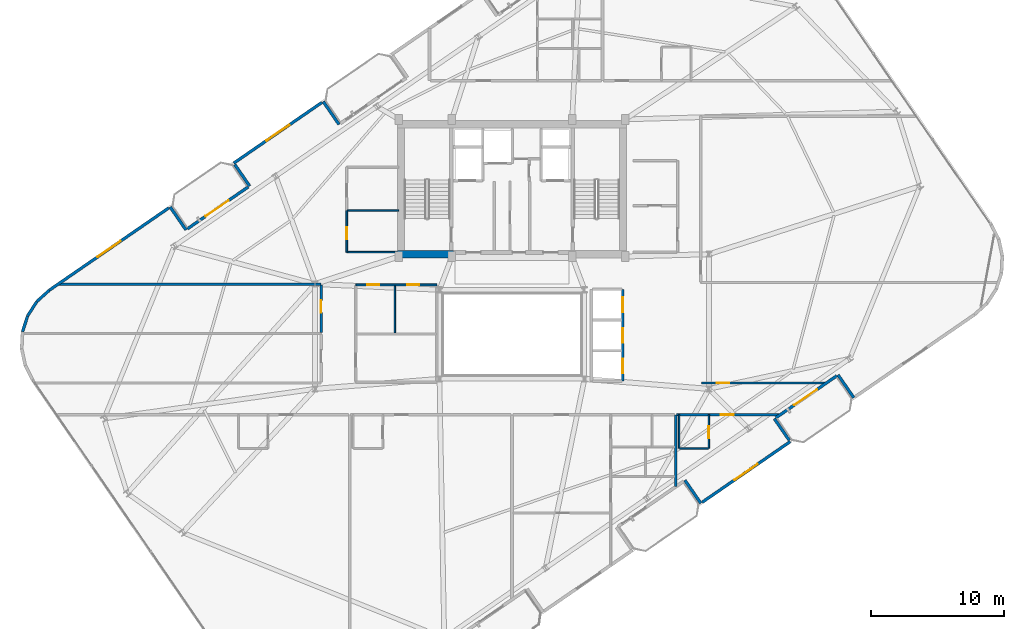
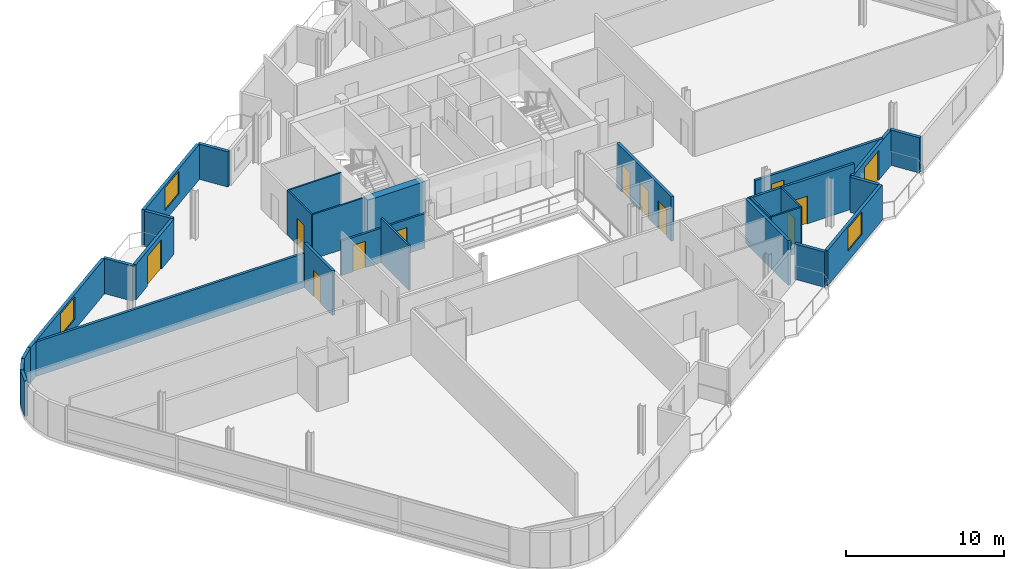
# One storey, part 17 of 23: 29 walls, 12 doors, 3 windows, 15 openings.
"""IFC4 building model written with IfcOpenShell, lengths in metres."""

from ifc_helpers import new_model, si_unit, direction, frame, frame_2d, origin, place, context, subcontext, project, spatial, rectangle, extrude, material, layer, layer_set, type_object, element, fill, save


model = new_model("IFC4")

# Units and contexts
model_context = context("Model", 3, precision=1e-05, world=origin(), true_north=direction((0.0, 1.0)))
body_context = subcontext(model_context, "Body", "Model", "MODEL_VIEW")
ifc_project = project(units=[si_unit("LENGTHUNIT", "METRE"), si_unit("AREAUNIT", "SQUARE_METRE"), si_unit("VOLUMEUNIT", "CUBIC_METRE"), si_unit("PLANEANGLEUNIT", "RADIAN"), si_unit("MASSUNIT", "GRAM", prefix="KILO")], contexts=[model_context])

# Site, building, storey
site_placement = place(None, origin())
site = spatial("IfcSite", under=ifc_project, at=site_placement, CompositionType="ELEMENT")
building_placement = place(site_placement, origin())
building = spatial("IfcBuilding", under=site, at=building_placement, Name="Varnelok Gate Tower", CompositionType="ELEMENT")
storey_placement = place(building_placement, frame((0.0, 0.0, 273.0)))
storey = spatial("IfcBuildingStorey", under=building, at=storey_placement, Name="L70", CompositionType="ELEMENT", Elevation=273.0)

# Wall, opening, door
ifc_material_1 = material(Name="Concrete C45/55", Category="concrete")
ifc_layer_1 = layer(ifc_material_1, 0.219970703125)
ifc_layer_set_1 = layer_set([ifc_layer_1], Name="Concrete C45/55")
wall_type_1 = type_object("IfcWallType", Name="EW-BALC-220", PredefinedType="SOLIDWALL", material=ifc_layer_set_1)
wall_1_placement = place(storey_placement, frame((63.60498046875, 19.780029296875, 0.0), z_axis=(0.0, 0.0, 1.0), x_axis=(-0.823541290762, -0.567256328665, 0.0)))
wall_1 = element("IfcWall", 1, at=wall_1_placement, inside=storey, type_object=wall_type_1, Name="L70 South Terrace Envelope Wall 3", PredefinedType="SOLIDWALL", context=body_context, shape_type="SweptSolid", body=[
    extrude(rectangle(XDim=5.567138671875, YDim=0.219970703125, at=frame_2d((2.78369140625, 0.0))), origin(), (0.0, 0.0, 1.0), 2.72998046875),
])
opening_1_placement = place(wall_1_placement, frame((1.786865234375, 0.0, 0.0)))
opening_1 = element("IfcOpeningElement", 2, at=opening_1_placement, cuts=wall_1, Name="Opening BD-2", PredefinedType="OPENING", context=body_context, shape_type="SweptSolid", body=[
    extrude(rectangle(XDim=2.10009765625, YDim=2.300048828125, at=frame_2d((1.050048828125, 1.14990234375))), frame((0.0, 0.119873046875, 0.0), z_axis=(0.0, -1.0, 0.0), x_axis=(1.0, 0.0, 0.0)), (0.0, 0.0, 1.0), 0.239990234375),
])
ifc_material_2 = material(Name="Anodized Aluminum Alloy 6063-T6", Category="aluminium")
door_type_1 = type_object("IfcDoorType", Name="DR-EXT-SLID2100", OperationType="SLIDING_TO_LEFT", PredefinedType="DOOR", material=ifc_material_2)
door_1_placement = place(opening_1_placement, origin())
door_1 = element("IfcDoor", 3, at=door_1_placement, inside=storey, type_object=door_type_1, Name="L70 South Balcony Glazed Door 3", OperationType="SLIDING_TO_LEFT", OverallHeight=2.300048828125, OverallWidth=2.10009765625, PredefinedType="DOOR", context=body_context, shape_type="SweptSolid", body=[
    extrude(rectangle(XDim=2.10009765625, YDim=2.300048828125, at=frame_2d((1.050048828125, 1.14990234375))), frame((0.0, 0.02490234375, 0.0), z_axis=(0.0, -1.0, 0.0), x_axis=(1.0, 0.0, 0.0)), (0.0, 0.0, 1.0), 0.050048828125),
])
fill(opening_1, door_1)

wall_2_placement = place(storey_placement, frame((14.794921875, 30.81982421875, 0.0), z_axis=(0.0, 0.0, 1.0), x_axis=(0.823541290762, 0.567256328665, 0.0)))
wall_2 = element("IfcWall", 4, at=wall_2_placement, inside=storey, type_object=wall_type_1, Name="L70 North Terrace Envelope Wall 4", PredefinedType="SOLIDWALL", context=body_context, shape_type="SweptSolid", body=[
    extrude(rectangle(XDim=5.567138671875, YDim=0.219970703125, at=frame_2d((2.78369140625, 0.0))), origin(), (0.0, 0.0, 1.0), 2.72998046875),
])
opening_2_placement = place(wall_2_placement, frame((1.68017578125, 0.0, 0.0)))
opening_2 = element("IfcOpeningElement", 5, at=opening_2_placement, cuts=wall_2, Name="Opening BD-2", PredefinedType="OPENING", context=body_context, shape_type="SweptSolid", body=[
    extrude(rectangle(XDim=2.10009765625, YDim=2.300048828125, at=frame_2d((1.050048828125, 1.14990234375))), frame((0.0, 0.119873046875, 0.0), z_axis=(0.0, -1.0, 0.0), x_axis=(1.0, 0.0, 0.0)), (0.0, 0.0, 1.0), 0.239990234375),
])
door_2_placement = place(opening_2_placement, origin())
door_2 = element("IfcDoor", 6, at=door_2_placement, inside=storey, type_object=door_type_1, Name="L70 North Balcony Glazed Door 4", OperationType="SLIDING_TO_LEFT", OverallHeight=2.300048828125, OverallWidth=2.10009765625, PredefinedType="DOOR", context=body_context, shape_type="SweptSolid", body=[
    extrude(rectangle(XDim=2.10009765625, YDim=2.300048828125, at=frame_2d((1.050048828125, 1.14990234375))), frame((0.0, 0.02490234375, 0.0), z_axis=(0.0, -1.0, 0.0), x_axis=(1.0, 0.0, 0.0)), (0.0, 0.0, 1.0), 0.050048828125),
])
fill(opening_2, door_2)

# Wall
wall_3_placement = place(storey_placement, frame((52.19580078125, 11.933349609375, 0.0), z_axis=(0.0, 0.0, 1.0), x_axis=(0.56729822855, -0.823512428494, 0.0)))
element("IfcWall", 7, at=wall_3_placement, inside=storey, type_object=wall_type_1, Name="L70 Perimeter Facade Closure Wall 12", PredefinedType="SOLIDWALL", context=body_context, shape_type="SweptSolid", body=[
    extrude(rectangle(XDim=2.10009765625, YDim=0.219970703125, at=frame_2d((1.050048828125, 0.0))), origin(), (0.0, 0.0, 1.0), 2.72998046875),
])

# Wall, opening, window
wall_4_placement = place(storey_placement, frame((53.489990234375, 10.27490234375, 0.0), z_axis=(0.0, 0.0, 1.0), x_axis=(0.823530942962, 0.56727135128, 0.0)))
wall_4 = element("IfcWall", 8, at=wall_4_placement, inside=storey, type_object=wall_type_1, Name="L70 Perimeter Facade Closure Wall 13", PredefinedType="SOLIDWALL", context=body_context, shape_type="SweptSolid", body=[
    extrude(rectangle(XDim=8.03515625, YDim=0.219970703125, at=frame_2d((4.017578125, 0.0))), origin(), (0.0, 0.0, 1.0), 2.72998046875),
])
opening_3_placement = place(wall_4_placement, frame((2.967529296875, 0.0, 0.800048828125)))
opening_3 = element("IfcOpeningElement", 9, at=opening_3_placement, cuts=wall_4, Name="Opening WN4", PredefinedType="OPENING", context=body_context, shape_type="SweptSolid", body=[
    extrude(rectangle(XDim=2.10009765625, YDim=1.75, at=frame_2d((1.050048828125, 0.875))), frame((0.0, 0.119873046875, 0.0), z_axis=(0.0, -1.0, 0.0), x_axis=(1.0, 0.0, 0.0)), (0.0, 0.0, 1.0), 0.239990234375),
])
ifc_material_3 = material(Name="Low-E Laminated Double Glazing IGU", Category="glass")
window_type = type_object("IfcWindowType", Name="WN-SUI-2100", PartitioningType="SINGLE_PANEL", PredefinedType="WINDOW", material=ifc_material_3)
window_1_placement = place(opening_3_placement, origin())
window_1 = element("IfcWindow", 10, at=window_1_placement, inside=storey, type_object=window_type, Name="L70 Perimeter Vision Window 13", OverallHeight=1.75, OverallWidth=2.10009765625, PartitioningType="SINGLE_PANEL", PredefinedType="WINDOW", context=body_context, shape_type="SweptSolid", body=[
    extrude(rectangle(XDim=2.10009765625, YDim=1.75, at=frame_2d((1.050048828125, 0.875))), frame((0.0, 0.030029296875, 0.0), z_axis=(0.0, -1.0, 0.0), x_axis=(1.0, 0.0, 0.0)), (0.0, 0.0, 1.0), 0.06005859375),
])
fill(opening_3, window_1)

# Walls
wall_5_placement = place(storey_placement, frame((60.0361328125, 14.935791015625, 0.0), z_axis=(0.0, 0.0, 1.0), x_axis=(-0.567273565974, 0.823529417415, 0.0)))
element("IfcWall", 11, at=wall_5_placement, inside=storey, type_object=wall_type_1, Name="L70 Perimeter Facade Closure Wall 14", PredefinedType="SOLIDWALL", context=body_context, shape_type="SweptSolid", body=[
    extrude(rectangle(XDim=1.97509765625, YDim=0.219970703125, at=frame_2d((0.987548828125, 0.0))), origin(), (0.0, 0.0, 1.0), 2.72998046875),
])
for number, where, z_axis, x_axis, name in (
    (12, (63.6982421875, 19.8564453125, 0.0), (0.0, 0.0, 1.0), (0.567219383419, -0.823566737474, 0.0), "L70 Perimeter Facade Closure Wall 15"),
    (13, (26.2041015625, 38.66650390625, 0.0), (0.0, 0.0, 1.0), (-0.567219383419, 0.823566737474, 0.0), "L70 Perimeter Facade Closure Wall 34"),
):
    element("IfcWall", number, at=place(storey_placement, frame(where, z_axis=z_axis, x_axis=x_axis)), inside=storey, type_object=wall_type_1, Name=name, PredefinedType="SOLIDWALL", context=body_context, shape_type="SweptSolid", body=[
        extrude(rectangle(XDim=2.10009765625, YDim=0.219970703125, at=frame_2d((1.050048828125, 0.0))), origin(), (0.0, 0.0, 1.0), 2.72998046875),
    ])

# Wall, opening, window
wall_6_placement = place(storey_placement, frame((24.909912109375, 40.3251953125, 0.0), z_axis=(0.0, 0.0, 1.0), x_axis=(-0.823521165086, -0.56728554596, 0.0)))
wall_6 = element("IfcWall", 14, at=wall_6_placement, inside=storey, type_object=wall_type_1, Name="L70 Perimeter Facade Closure Wall 35", PredefinedType="SOLIDWALL", context=body_context, shape_type="SweptSolid", body=[
    extrude(rectangle(XDim=8.034912109375, YDim=0.219970703125, at=frame_2d((4.017578125, 0.0))), origin(), (0.0, 0.0, 1.0), 2.72998046875),
])
opening_4_placement = place(wall_6_placement, frame((2.967529296875, 0.0, 0.800048828125)))
opening_4 = element("IfcOpeningElement", 15, at=opening_4_placement, cuts=wall_6, Name="Opening WN4", PredefinedType="OPENING", context=body_context, shape_type="SweptSolid", body=[
    extrude(rectangle(XDim=2.10009765625, YDim=1.75, at=frame_2d((1.050048828125, 0.875))), frame((0.0, 0.119873046875, 0.0), z_axis=(0.0, -1.0, 0.0), x_axis=(1.0, 0.0, 0.0)), (0.0, 0.0, 1.0), 0.239990234375),
])
window_2_placement = place(opening_4_placement, origin())
window_2 = element("IfcWindow", 16, at=window_2_placement, inside=storey, type_object=window_type, Name="L70 Perimeter Vision Window 35", OverallHeight=1.75, OverallWidth=2.10009765625, PartitioningType="SINGLE_PANEL", PredefinedType="WINDOW", context=body_context, shape_type="SweptSolid", body=[
    extrude(rectangle(XDim=2.10009765625, YDim=1.75, at=frame_2d((1.050048828125, 0.875))), frame((0.0, 0.030029296875, 0.0), z_axis=(0.0, -1.0, 0.0), x_axis=(1.0, 0.0, 0.0)), (0.0, 0.0, 1.0), 0.06005859375),
])
fill(opening_4, window_2)

# Walls
wall_7_placement = place(storey_placement, frame((18.36376953125, 35.664306640625, 0.0), z_axis=(0.0, 0.0, 1.0), x_axis=(0.567215821234, -0.823569190865, 0.0)))
element("IfcWall", 17, at=wall_7_placement, inside=storey, type_object=wall_type_1, Name="L70 Perimeter Facade Closure Wall 36", PredefinedType="SOLIDWALL", context=body_context, shape_type="SweptSolid", body=[
    extrude(rectangle(XDim=1.97509765625, YDim=0.219970703125, at=frame_2d((0.987548828125, 0.0))), origin(), (0.0, 0.0, 1.0), 2.72998046875),
])
wall_8_placement = place(storey_placement, frame((14.701904296875, 30.74365234375, 0.0), z_axis=(0.0, 0.0, 1.0), x_axis=(-0.567352541689, 0.823475010816, 0.0)))
element("IfcWall", 18, at=wall_8_placement, inside=storey, type_object=wall_type_1, Name="L70 Perimeter Facade Closure Wall 37", PredefinedType="SOLIDWALL", context=body_context, shape_type="SweptSolid", body=[
    extrude(rectangle(XDim=2.099853515625, YDim=0.219970703125, at=frame_2d((1.0498046875, 0.0))), origin(), (0.0, 0.0, 1.0), 2.72998046875),
])

# Wall, opening, window
wall_9_placement = place(storey_placement, frame((13.40771484375, 32.402099609375, 0.0), z_axis=(0.0, 0.0, 1.0), x_axis=(-0.823527634633, -0.567276154087, 0.0)))
wall_9 = element("IfcWall", 19, at=wall_9_placement, inside=storey, type_object=wall_type_1, Name="L70 Perimeter Facade Closure Wall 38", PredefinedType="SOLIDWALL", context=body_context, shape_type="SweptSolid", body=[
    extrude(rectangle(XDim=10.88037109375, YDim=0.219970703125, at=frame_2d((5.440185546875, 0.0))), origin(), (0.0, 0.0, 1.0), 2.72998046875),
])
opening_5_placement = place(wall_9_placement, frame((4.39013671875, 0.0, 0.800048828125)))
opening_5 = element("IfcOpeningElement", 20, at=opening_5_placement, cuts=wall_9, Name="Opening WN4", PredefinedType="OPENING", context=body_context, shape_type="SweptSolid", body=[
    extrude(rectangle(XDim=2.10009765625, YDim=1.75, at=frame_2d((1.050048828125, 0.875))), frame((0.0, 0.119873046875, 0.0), z_axis=(0.0, -1.0, 0.0), x_axis=(1.0, 0.0, 0.0)), (0.0, 0.0, 1.0), 0.239990234375),
])
window_3_placement = place(opening_5_placement, origin())
window_3 = element("IfcWindow", 21, at=window_3_placement, inside=storey, type_object=window_type, Name="L70 Perimeter Vision Window 38", OverallHeight=1.75, OverallWidth=2.10009765625, PartitioningType="SINGLE_PANEL", PredefinedType="WINDOW", context=body_context, shape_type="SweptSolid", body=[
    extrude(rectangle(XDim=2.10009765625, YDim=1.75, at=frame_2d((1.050048828125, 0.875))), frame((0.0, 0.030029296875, 0.0), z_axis=(0.0, -1.0, 0.0), x_axis=(1.0, 0.0, 0.0)), (0.0, 0.0, 1.0), 0.06005859375),
])
fill(opening_5, window_3)

# Walls
wall_10_placement = place(storey_placement, frame((4.428955078125, 26.21337890625, 0.0), z_axis=(0.0, 0.0, 1.0), x_axis=(-0.742414330744, -0.669941013453, 0.0)))
element("IfcWall", 22, at=wall_10_placement, inside=storey, type_object=wall_type_1, Name="L70 Perimeter Facade Closure Wall 39", PredefinedType="SOLIDWALL", context=body_context, shape_type="SweptSolid", body=[
    extrude(rectangle(XDim=1.256591796875, YDim=0.219970703125, at=frame_2d((0.62841796875, 0.0))), origin(), (0.0, 0.0, 1.0), 2.72998046875),
])
for number, where, z_axis, x_axis, name in (
    (23, (3.482421875, 25.3505859375, 0.0), (0.0, 0.0, 1.0), (-0.543778157277, -0.839229000731, 0.0), "L70 Perimeter Facade Closure Wall 40"),
    (24, (2.7958984375, 24.27880859375, 0.0), (0.0, 0.0, 1.0), (-0.30817950344, -0.951328226039, 0.0), "L70 Perimeter Facade Closure Wall 41"),
):
    element("IfcWall", number, at=place(storey_placement, frame(where, z_axis=z_axis, x_axis=x_axis)), inside=storey, type_object=wall_type_1, Name=name, PredefinedType="SOLIDWALL", context=body_context, shape_type="SweptSolid", body=[
        extrude(rectangle(XDim=1.24853515625, YDim=0.219970703125, at=frame_2d((0.624267578125, 0.0))), origin(), (0.0, 0.0, 1.0), 2.72998046875),
    ])

# Wall, opening, door
ifc_material_4 = material(Name="Gypsum Plasterboard Acoustic Partition", Category="gypsum")
ifc_layer_2 = layer(ifc_material_4, 0.179931640625)
ifc_layer_set_2 = layer_set([ifc_layer_2], Name="Gypsum Plasterboard Acoustic Partition")
wall_type_2 = type_object("IfcWallType", Name="PW-CORR-180", PredefinedType="PARTITIONING", material=ifc_layer_set_2)
wall_11_placement = place(storey_placement, frame((51.580078125, 16.85009765625, 0.0), z_axis=(0.0, 0.0, 1.0), x_axis=(1.0, 0.0, 0.0)))
wall_11 = element("IfcWall", 25, at=wall_11_placement, inside=storey, type_object=wall_type_2, Name="Interior Partition", PredefinedType="PARTITIONING", context=body_context, shape_type="SweptSolid", body=[
    extrude(rectangle(XDim=7.71826171875, YDim=0.179931640625, at=frame_2d((3.859130859375, 0.0))), origin(), (0.0, 0.0, 1.0), 3.449951171875),
])
opening_6_placement = place(wall_11_placement, frame((3.326171875, 0.0, 0.0)))
opening_6 = element("IfcOpeningElement", 26, at=opening_6_placement, cuts=wall_11, Name="Opening D-HT", PredefinedType="OPENING", context=body_context, shape_type="SweptSolid", body=[
    extrude(rectangle(XDim=0.949951171875, YDim=2.14990234375, at=frame_2d((0.47509765625, 1.074951171875))), frame((0.0, 0.099853515625, 0.0), z_axis=(0.0, -1.0, 0.0), x_axis=(1.0, 0.0, 0.0)), (0.0, 0.0, 1.0), 0.199951171875),
])
ifc_material_5 = material(Name="Engineered Hardwood Timber", Category="wood")
door_type_2 = type_object("IfcDoorType", Name="DR-HTL-950", OperationType="NOTDEFINED", PredefinedType="DOOR", material=ifc_material_5)
door_3_placement = place(opening_6_placement, origin())
door_3 = element("IfcDoor", 27, at=door_3_placement, inside=storey, type_object=door_type_2, Name="L70 Guest Room 04 Entrance Door", OperationType="SINGLE_SWING_LEFT", OverallHeight=2.14990234375, OverallWidth=0.949951171875, PredefinedType="DOOR", context=body_context, shape_type="SweptSolid", body=[
    extrude(rectangle(XDim=0.949951171875, YDim=2.14990234375, at=frame_2d((0.47509765625, 1.074951171875))), frame((0.0, 0.02490234375, 0.0), z_axis=(0.0, -1.0, 0.0), x_axis=(1.0, 0.0, 0.0)), (0.0, 0.0, 1.0), 0.050048828125),
])
fill(opening_6, door_3)

wall_12_placement = place(storey_placement, frame((24.85009765625, 23.030029296875, 0.0), z_axis=(0.0, 0.0, 1.0), x_axis=(0.0, 1.0, 0.0)))
wall_12 = element("IfcWall", 28, at=wall_12_placement, inside=storey, type_object=wall_type_2, Name="Interior Partition", PredefinedType="PARTITIONING", context=body_context, shape_type="SweptSolid", body=[
    extrude(rectangle(XDim=3.570068359375, YDim=0.179931640625, at=frame_2d((1.78515625, 0.0))), origin(), (0.0, 0.0, 1.0), 3.449951171875),
])
opening_7_placement = place(wall_12_placement, frame((1.49951171875, 0.0, 0.0)))
opening_7 = element("IfcOpeningElement", 29, at=opening_7_placement, cuts=wall_12, Name="Opening D-I3", PredefinedType="OPENING", context=body_context, shape_type="SweptSolid", body=[
    extrude(rectangle(XDim=0.919921875, YDim=2.050048828125, at=frame_2d((0.4599609375, 1.02490234375))), frame((0.0, 0.099853515625, 0.0), z_axis=(0.0, -1.0, 0.0), x_axis=(1.0, 0.0, 0.0)), (0.0, 0.0, 1.0), 0.199951171875),
])
door_type_3 = type_object("IfcDoorType", Name="DR-INT-920", OperationType="NOTDEFINED", PredefinedType="DOOR", material=ifc_material_5)
door_4_placement = place(opening_7_placement, origin())
door_4 = element("IfcDoor", 30, at=door_4_placement, inside=storey, type_object=door_type_3, Name="L70 West Wing Room 2 Door", OperationType="SINGLE_SWING_RIGHT", OverallHeight=2.050048828125, OverallWidth=0.919921875, PredefinedType="DOOR", context=body_context, shape_type="SweptSolid", body=[
    extrude(rectangle(XDim=0.919921875, YDim=2.050048828125, at=frame_2d((0.4599609375, 1.02490234375))), frame((0.0, 0.02490234375, 0.0), z_axis=(0.0, -1.0, 0.0), x_axis=(1.0, 0.0, 0.0)), (0.0, 0.0, 1.0), 0.050048828125),
])
fill(opening_7, door_4)

# Wall
wall_13_placement = place(storey_placement, frame((5.10693359375, 26.659912109375, 0.0), z_axis=(0.0, 0.0, 1.0), x_axis=(1.0, 0.0, 0.0)))
element("IfcWall", 31, at=wall_13_placement, inside=storey, type_object=wall_type_2, Name="Interior Partition", PredefinedType="PARTITIONING", context=body_context, shape_type="SweptSolid", body=[
    extrude(rectangle(XDim=19.7431640625, YDim=0.179931640625, at=frame_2d((9.87158203125, 0.0))), origin(), (0.0, 0.0, 1.0), 2.662109375),
])

# Wall, opening, door
wall_14_placement = place(storey_placement, frame((53.449951171875, 19.239990234375, 0.0), z_axis=(0.0, 0.0, 1.0), x_axis=(1.0, 0.0, 0.0)))
wall_14 = element("IfcWall", 32, at=wall_14_placement, inside=storey, type_object=wall_type_2, Name="Interior Partition", PredefinedType="PARTITIONING", context=body_context, shape_type="SweptSolid", body=[
    extrude(rectangle(XDim=9.318115234375, YDim=0.179931640625, at=frame_2d((4.6591796875, 0.0))), origin(), (0.0, 0.0, 1.0), 2.739013671875),
])
opening_8_placement = place(wall_14_placement, frame((1.14990234375, 0.0, 0.0)))
opening_8 = element("IfcOpeningElement", 33, at=opening_8_placement, cuts=wall_14, Name="Opening D-I3", PredefinedType="OPENING", context=body_context, shape_type="SweptSolid", body=[
    extrude(rectangle(XDim=0.919921875, YDim=2.050048828125, at=frame_2d((0.4599609375, 1.02490234375))), frame((0.0, 0.099853515625, 0.0), z_axis=(0.0, -1.0, 0.0), x_axis=(1.0, 0.0, 0.0)), (0.0, 0.0, 1.0), 0.199951171875),
])
door_5_placement = place(opening_8_placement, origin())
door_5 = element("IfcDoor", 34, at=door_5_placement, inside=storey, type_object=door_type_3, Name="L70 East Studio Door", OperationType="SINGLE_SWING_LEFT", OverallHeight=2.050048828125, OverallWidth=0.919921875, PredefinedType="DOOR", context=body_context, shape_type="SweptSolid", body=[
    extrude(rectangle(XDim=0.919921875, YDim=2.050048828125, at=frame_2d((0.4599609375, 1.02490234375))), frame((0.0, 0.02490234375, 0.0), z_axis=(0.0, -1.0, 0.0), x_axis=(1.0, 0.0, 0.0)), (0.0, 0.0, 1.0), 0.050048828125),
])
fill(opening_8, door_5)

# Wall
ifc_layer_3 = layer(ifc_material_4, 0.114990234375)
ifc_layer_set_3 = layer_set([ifc_layer_3], Name="Gypsum Plasterboard Acoustic Partition")
wall_type_3 = type_object("IfcWallType", Name="PW-ENS-125", PredefinedType="PARTITIONING", material=ifc_layer_set_3)
wall_15_placement = place(storey_placement, frame((51.800048828125, 14.330078125, 0.0), z_axis=(0.0, 0.0, 1.0), x_axis=(1.0, 0.0, 0.0)))
element("IfcWall", 35, at=wall_15_placement, inside=storey, type_object=wall_type_3, Name="Interior Partition", PredefinedType="PARTITIONING", context=body_context, shape_type="SweptSolid", body=[
    extrude(rectangle(XDim=2.14990234375, YDim=0.114990234375, at=frame_2d((1.074951171875, 0.0))), origin(), (0.0, 0.0, 1.0), 3.449951171875),
])

# Wall, opening, door
wall_16_placement = place(storey_placement, frame((53.989990234375, 14.330078125, 0.0), z_axis=(0.0, 0.0, 1.0), x_axis=(0.0, 1.0, 0.0)))
wall_16 = element("IfcWall", 36, at=wall_16_placement, inside=storey, type_object=wall_type_3, Name="Interior Partition", PredefinedType="PARTITIONING", context=body_context, shape_type="SweptSolid", body=[
    extrude(rectangle(XDim=2.52001953125, YDim=0.114990234375, at=frame_2d((1.260009765625, 0.0))), origin(), (0.0, 0.0, 1.0), 3.449951171875),
])
opening_9_placement = place(wall_16_placement, frame((0.760009765625, 0.0, 0.0)))
opening_9 = element("IfcOpeningElement", 37, at=opening_9_placement, cuts=wall_16, Name="Opening D-WC", PredefinedType="OPENING", context=body_context, shape_type="SweptSolid", body=[
    extrude(rectangle(XDim=0.89990234375, YDim=2.050048828125, at=frame_2d((0.449951171875, 1.02490234375))), frame((0.0, 0.0673828125, 0.0), z_axis=(0.0, -1.0, 0.0), x_axis=(1.0, 0.0, 0.0)), (0.0, 0.0, 1.0), 0.135009765625),
])
door_type_4 = type_object("IfcDoorType", Name="DR-BATH-900", OperationType="NOTDEFINED", PredefinedType="DOOR", material=ifc_material_5)
door_6_placement = place(opening_9_placement, origin())
door_6 = element("IfcDoor", 38, at=door_6_placement, inside=storey, type_object=door_type_4, Name="L70 Guest En-Suite 04 Door", OperationType="SINGLE_SWING_LEFT", OverallHeight=2.050048828125, OverallWidth=0.89990234375, PredefinedType="DOOR", context=body_context, shape_type="SweptSolid", body=[
    extrude(rectangle(XDim=0.89990234375, YDim=2.050048828125, at=frame_2d((0.449951171875, 1.02490234375))), frame((0.0, 0.02490234375, 0.0), z_axis=(0.0, -1.0, 0.0), x_axis=(1.0, 0.0, 0.0)), (0.0, 0.0, 1.0), 0.050048828125),
])
fill(opening_9, door_6)

# Walls
wall_17_placement = place(storey_placement, frame((51.760009765625, 14.330078125, 0.0), z_axis=(0.0, 0.0, 1.0), x_axis=(0.0, 1.0, 0.0)))
element("IfcWall", 39, at=wall_17_placement, inside=storey, type_object=wall_type_3, Name="Interior Partition", PredefinedType="PARTITIONING", context=body_context, shape_type="SweptSolid", body=[
    extrude(rectangle(XDim=2.52001953125, YDim=0.114990234375, at=frame_2d((1.260009765625, 0.0))), origin(), (0.0, 0.0, 1.0), 3.449951171875),
])
wall_18_placement = place(storey_placement, frame((26.800048828125, 32.18994140625, 0.0), z_axis=(0.0, 0.0, 1.0), x_axis=(1.0, 0.0, 0.0)))
element("IfcWall", 40, at=wall_18_placement, inside=storey, type_object=wall_type_3, Name="Interior Partition", PredefinedType="PARTITIONING", context=body_context, shape_type="SweptSolid", body=[
    extrude(rectangle(XDim=3.8798828125, YDim=0.114990234375, at=frame_2d((1.93994140625, 0.0))), origin(), (0.0, 0.0, 1.0), 3.449951171875),
])
wall_19_placement = place(storey_placement, frame((26.780029296875, 29.080078125, 0.0), z_axis=(0.0, 0.0, 1.0), x_axis=(1.0, 0.0, 0.0)))
element("IfcWall", 41, at=wall_19_placement, inside=storey, type_object=wall_type_3, Name="Interior Partition", PredefinedType="PARTITIONING", context=body_context, shape_type="SweptSolid", body=[
    extrude(rectangle(XDim=3.800048828125, YDim=0.114990234375, at=frame_2d((1.89990234375, 0.0))), origin(), (0.0, 0.0, 1.0), 3.449951171875),
])

# Wall, opening, door
wall_20_placement = place(storey_placement, frame((26.780029296875, 29.080078125, 0.0), z_axis=(0.0, 0.0, 1.0), x_axis=(0.0, 1.0, 0.0)))
wall_20 = element("IfcWall", 42, at=wall_20_placement, inside=storey, type_object=wall_type_3, Name="Interior Partition", PredefinedType="PARTITIONING", context=body_context, shape_type="SweptSolid", body=[
    extrude(rectangle(XDim=3.10986328125, YDim=0.114990234375, at=frame_2d((1.554931640625, 0.0))), origin(), (0.0, 0.0, 1.0), 3.449951171875),
])
opening_10_placement = place(wall_20_placement, frame((0.949951171875, 0.0, 0.0)))
opening_10 = element("IfcOpeningElement", 43, at=opening_10_placement, cuts=wall_20, Name="Opening D-WC", PredefinedType="OPENING", context=body_context, shape_type="SweptSolid", body=[
    extrude(rectangle(XDim=0.89990234375, YDim=2.050048828125, at=frame_2d((0.449951171875, 1.02490234375))), frame((0.0, 0.0673828125, 0.0), z_axis=(0.0, -1.0, 0.0), x_axis=(1.0, 0.0, 0.0)), (0.0, 0.0, 1.0), 0.135009765625),
])
door_7_placement = place(opening_10_placement, origin())
door_7 = element("IfcDoor", 44, at=door_7_placement, inside=storey, type_object=door_type_4, Name="L70 Core Floor WC Door", OperationType="SINGLE_SWING_LEFT", OverallHeight=2.050048828125, OverallWidth=0.89990234375, PredefinedType="DOOR", context=body_context, shape_type="SweptSolid", body=[
    extrude(rectangle(XDim=0.89990234375, YDim=2.050048828125, at=frame_2d((0.449951171875, 1.02490234375))), frame((0.0, 0.02490234375, 0.0), z_axis=(0.0, -1.0, 0.0), x_axis=(1.0, 0.0, 0.0)), (0.0, 0.0, 1.0), 0.050048828125),
])
fill(opening_10, door_7)

# Wall
ifc_layer_4 = layer(ifc_material_4, 0.125)
ifc_layer_set_4 = layer_set([ifc_layer_4], Name="Gypsum Plasterboard Acoustic Partition")
wall_type_4 = type_object("IfcWallType", Name="PW-PART-125", PredefinedType="PARTITIONING", material=ifc_layer_set_4)
wall_21_placement = place(storey_placement, frame((30.39990234375, 23.0, 0.0), z_axis=(0.0, 0.0, 1.0), x_axis=(0.0, 1.0, 0.0)))
element("IfcWall", 45, at=wall_21_placement, inside=storey, type_object=wall_type_4, Name="Interior Partition", PredefinedType="PARTITIONING", context=body_context, shape_type="SweptSolid", body=[
    extrude(rectangle(XDim=3.5400390625, YDim=0.125, at=frame_2d((1.77001953125, 0.0))), origin(), (0.0, 0.0, 1.0), 3.449951171875),
])

# Wall, openings, doors
ifc_layer_5 = layer(ifc_material_4, 0.14990234375)
ifc_layer_set_5 = layer_set([ifc_layer_5], Name="Gypsum Plasterboard Acoustic Partition")
wall_type_5 = type_object("IfcWallType", Name="PW-PART-150", PredefinedType="PARTITIONING", material=ifc_layer_set_5)
wall_22_placement = place(storey_placement, frame((27.4599609375, 26.6201171875, 0.0), z_axis=(0.0, 0.0, 1.0), x_axis=(1.0, 0.0, 0.0)))
wall_22 = element("IfcWall", 46, at=wall_22_placement, inside=storey, type_object=wall_type_5, Name="Interior Partition", PredefinedType="PARTITIONING", context=body_context, shape_type="SweptSolid", body=[
    extrude(rectangle(XDim=6.10009765625, YDim=0.14990234375, at=frame_2d((3.050048828125, 0.0))), origin(), (0.0, 0.0, 1.0), 2.662109375),
])
opening_11_placement = place(wall_22_placement, frame((0.85009765625, 0.0, 0.0)))
opening_11 = element("IfcOpeningElement", 47, at=opening_11_placement, cuts=wall_22, Name="Opening D-WC", PredefinedType="OPENING", context=body_context, shape_type="SweptSolid", body=[
    extrude(rectangle(XDim=0.89990234375, YDim=2.050048828125, at=frame_2d((0.449951171875, 1.02490234375))), frame((0.0, 0.0849609375, 0.0), z_axis=(0.0, -1.0, 0.0), x_axis=(1.0, 0.0, 0.0)), (0.0, 0.0, 1.0), 0.169921875),
])
opening_12_placement = place(wall_22_placement, frame((3.85009765625, 0.0, 0.0)))
opening_12 = element("IfcOpeningElement", 48, at=opening_12_placement, cuts=wall_22, Name="Opening D-I3", PredefinedType="OPENING", context=body_context, shape_type="SweptSolid", body=[
    extrude(rectangle(XDim=0.919921875, YDim=2.050048828125, at=frame_2d((0.4599609375, 1.02490234375))), frame((0.0, 0.0849609375, 0.0), z_axis=(0.0, -1.0, 0.0), x_axis=(1.0, 0.0, 0.0)), (0.0, 0.0, 1.0), 0.169921875),
])
door_8_placement = place(opening_11_placement, origin())
door_8 = element("IfcDoor", 49, at=door_8_placement, inside=storey, type_object=door_type_4, Name="L70 Accessible Floor WC Door", OperationType="SINGLE_SWING_RIGHT", OverallHeight=2.050048828125, OverallWidth=0.89990234375, PredefinedType="DOOR", context=body_context, shape_type="SweptSolid", body=[
    extrude(rectangle(XDim=0.89990234375, YDim=2.050048828125, at=frame_2d((0.449951171875, 1.02490234375))), frame((0.0, 0.02490234375, 0.0), z_axis=(0.0, -1.0, 0.0), x_axis=(1.0, 0.0, 0.0)), (0.0, 0.0, 1.0), 0.050048828125),
])
fill(opening_11, door_8)
door_9_placement = place(opening_12_placement, origin())
door_9 = element("IfcDoor", 50, at=door_9_placement, inside=storey, type_object=door_type_3, Name="L70 Cleaner Supply Door", OperationType="SINGLE_SWING_LEFT", OverallHeight=2.050048828125, OverallWidth=0.919921875, PredefinedType="DOOR", context=body_context, shape_type="SweptSolid", body=[
    extrude(rectangle(XDim=0.919921875, YDim=2.050048828125, at=frame_2d((0.4599609375, 1.02490234375))), frame((0.0, 0.02490234375, 0.0), z_axis=(0.0, -1.0, 0.0), x_axis=(1.0, 0.0, 0.0)), (0.0, 0.0, 1.0), 0.050048828125),
])
fill(opening_12, door_9)

# Wall
ifc_layer_6 = layer(ifc_material_4, 0.205078125)
ifc_layer_set_6 = layer_set([ifc_layer_6], Name="Gypsum Plasterboard Acoustic Partition")
wall_type_6 = type_object("IfcWallType", Name="PW-PARTY-200", PredefinedType="PARTITIONING", material=ifc_layer_set_6)
wall_23_placement = place(storey_placement, frame((51.5, 11.478515625, 0.0), z_axis=(0.0, 0.0, 1.0), x_axis=(0.0, 1.0, 0.0)))
element("IfcWall", 51, at=wall_23_placement, inside=storey, type_object=wall_type_6, Name="L70 South Party Wall 3", PredefinedType="PARTITIONING", context=body_context, shape_type="SweptSolid", body=[
    extrude(rectangle(XDim=5.37158203125, YDim=0.205078125, at=frame_2d((2.685791015625, 0.0))), origin(), (0.0, 0.0, 1.0), 3.449951171875),
])

# Wall, openings, doors
ifc_material_6 = material(Name="Concrete C35/45", Category="concrete")
ifc_layer_7 = layer(ifc_material_6, 0.199951171875)
ifc_layer_set_7 = layer_set([ifc_layer_7], Name="Concrete C35/45")
wall_type_7 = type_object("IfcWallType", Name="PW-SHAFT-200", PredefinedType="PARTITIONING", material=ifc_layer_set_7)
wall_24_placement = place(storey_placement, frame((47.52001953125, 19.3798828125, 0.0), z_axis=(0.0, 0.0, 1.0), x_axis=(0.0, 1.0, 0.0)))
wall_24 = element("IfcWall", 52, at=wall_24_placement, inside=storey, type_object=wall_type_7, Name="L70 PH Bank Front Wall", PredefinedType="PARTITIONING", context=body_context, shape_type="SweptSolid", body=[
    extrude(rectangle(XDim=6.900146484375, YDim=0.199951171875, at=frame_2d((3.4501953125, 0.0))), origin(), (0.0, 0.0, 1.0), 3.449951171875),
])
opening_13_placement = place(wall_24_placement, frame((0.590087890625, 0.0, 0.0)))
opening_13 = element("IfcOpeningElement", 53, at=opening_13_placement, cuts=wall_24, Name="Opening LD-PH1", PredefinedType="OPENING", context=body_context, shape_type="SweptSolid", body=[
    extrude(rectangle(XDim=1.10009765625, YDim=2.14990234375, at=frame_2d((0.550048828125, 1.074951171875))), frame((0.0, 0.10986328125, 0.0), z_axis=(0.0, -1.0, 0.0), x_axis=(1.0, 0.0, 0.0)), (0.0, 0.0, 1.0), 0.219970703125),
])
opening_14_placement = place(wall_24_placement, frame((2.889892578125, 0.0, 0.0)))
opening_14 = element("IfcOpeningElement", 54, at=opening_14_placement, cuts=wall_24, Name="Opening LD-PH2", PredefinedType="OPENING", context=body_context, shape_type="SweptSolid", body=[
    extrude(rectangle(XDim=1.10009765625, YDim=2.14990234375, at=frame_2d((0.550048828125, 1.074951171875))), frame((0.0, 0.10986328125, 0.0), z_axis=(0.0, -1.0, 0.0), x_axis=(1.0, 0.0, 0.0)), (0.0, 0.0, 1.0), 0.219970703125),
])
opening_15_placement = place(wall_24_placement, frame((5.18994140625, 0.0, 0.0)))
opening_15 = element("IfcOpeningElement", 55, at=opening_15_placement, cuts=wall_24, Name="Opening LD-PH3", PredefinedType="OPENING", context=body_context, shape_type="SweptSolid", body=[
    extrude(rectangle(XDim=1.10009765625, YDim=2.14990234375, at=frame_2d((0.550048828125, 1.074951171875))), frame((0.0, 0.10986328125, 0.0), z_axis=(0.0, -1.0, 0.0), x_axis=(1.0, 0.0, 0.0)), (0.0, 0.0, 1.0), 0.219970703125),
])
ifc_material_7 = material(Name="Galvanized Steel Grade S350GD", Category="steel")
door_type_5 = type_object("IfcDoorType", Name="DR-LIFT-PAX1100", OperationType="SLIDING_TO_LEFT", PredefinedType="DOOR", material=ifc_material_7)
door_10_placement = place(opening_13_placement, origin())
door_10 = element("IfcDoor", 56, at=door_10_placement, inside=storey, type_object=door_type_5, Name="L70 Passenger Lift Landing Door LD-PH1", OperationType="SLIDING_TO_LEFT", OverallHeight=2.14990234375, OverallWidth=1.10009765625, PredefinedType="DOOR", context=body_context, shape_type="SweptSolid", body=[
    extrude(rectangle(XDim=1.10009765625, YDim=2.14990234375, at=frame_2d((0.550048828125, 1.074951171875))), frame((0.0, 0.02490234375, 0.0), z_axis=(0.0, -1.0, 0.0), x_axis=(1.0, 0.0, 0.0)), (0.0, 0.0, 1.0), 0.050048828125),
])
fill(opening_13, door_10)
door_11_placement = place(opening_14_placement, origin())
door_11 = element("IfcDoor", 57, at=door_11_placement, inside=storey, type_object=door_type_5, Name="L70 Passenger Lift Landing Door LD-PH2", OperationType="SLIDING_TO_LEFT", OverallHeight=2.14990234375, OverallWidth=1.10009765625, PredefinedType="DOOR", context=body_context, shape_type="SweptSolid", body=[
    extrude(rectangle(XDim=1.10009765625, YDim=2.14990234375, at=frame_2d((0.550048828125, 1.074951171875))), frame((0.0, 0.02490234375, 0.0), z_axis=(0.0, -1.0, 0.0), x_axis=(1.0, 0.0, 0.0)), (0.0, 0.0, 1.0), 0.050048828125),
])
fill(opening_14, door_11)
door_12_placement = place(opening_15_placement, origin())
door_12 = element("IfcDoor", 58, at=door_12_placement, inside=storey, type_object=door_type_5, Name="L70 Passenger Lift Landing Door LD-PH3", OperationType="SLIDING_TO_LEFT", OverallHeight=2.14990234375, OverallWidth=1.10009765625, PredefinedType="DOOR", context=body_context, shape_type="SweptSolid", body=[
    extrude(rectangle(XDim=1.10009765625, YDim=2.14990234375, at=frame_2d((0.550048828125, 1.074951171875))), frame((0.0, 0.02490234375, 0.0), z_axis=(0.0, -1.0, 0.0), x_axis=(1.0, 0.0, 0.0)), (0.0, 0.0, 1.0), 0.050048828125),
])
fill(opening_15, door_12)

# Wall
ifc_material_8 = material(Name="Concrete C60/75", Category="concrete")
ifc_layer_8 = layer(ifc_material_8, 0.550048828125)
ifc_layer_set_8 = layer_set([ifc_layer_8], Name="Concrete C60/75")
wall_type_8 = type_object("IfcWallType", Name="SW-CORE-550", PredefinedType="SHEAR", material=ifc_layer_set_8)
wall_25_placement = place(storey_placement, frame((30.580078125, 28.925048828125, 0.0), z_axis=(0.0, 0.0, 1.0), x_axis=(1.0, 0.0, 0.0)))
element("IfcWall", 59, at=wall_25_placement, inside=storey, type_object=wall_type_8, Name="L70 Rear Core South-West Shear Wall", PredefinedType="SHEAR", context=body_context, shape_type="SweptSolid", body=[
    extrude(rectangle(XDim=4.219970703125, YDim=0.550048828125, at=frame_2d((2.10986328125, 0.0))), origin(), (0.0, 0.0, 1.0), 3.449951171875),
])

save(model, "model.ifc")
